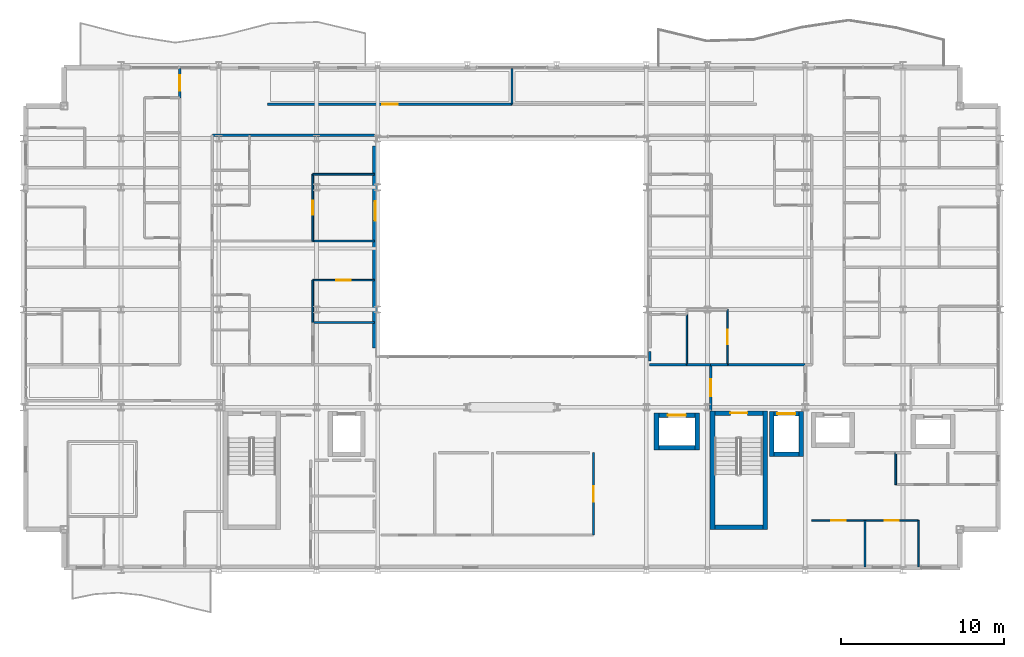
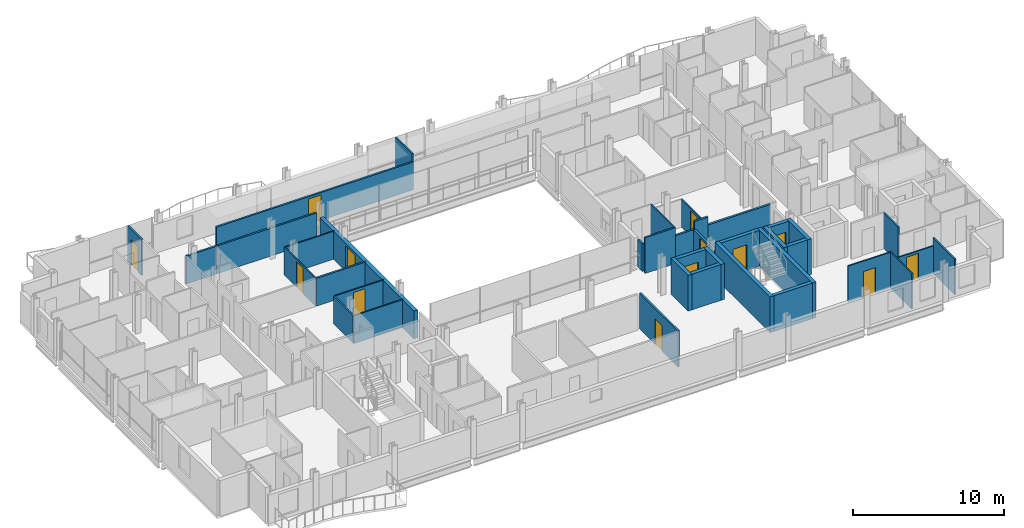
# One storey, part 34 of 41: 38 walls, 12 doors, 1 window, 13 openings.
"""IFC4 building model written with IfcOpenShell, lengths in metres."""

from ifc_helpers import new_model, si_unit, direction, frame, frame_2d, origin, place, context, subcontext, project, spatial, rectangle, extrude, material, layer, layer_set, type_object, element, fill, save


model = new_model("IFC4")

# Units and contexts
model_context = context("Model", 3, precision=1e-05, world=origin(), true_north=direction((0.0, 1.0)))
body_context = subcontext(model_context, "Body", "Model", "MODEL_VIEW")
ifc_project = project(units=[si_unit("LENGTHUNIT", "METRE"), si_unit("AREAUNIT", "SQUARE_METRE"), si_unit("VOLUMEUNIT", "CUBIC_METRE"), si_unit("PLANEANGLEUNIT", "RADIAN"), si_unit("MASSUNIT", "GRAM", prefix="KILO")], contexts=[model_context])

# Site, building, storey
site_placement = place(None, origin())
site = spatial("IfcSite", under=ifc_project, at=site_placement, CompositionType="ELEMENT")
building_placement = place(site_placement, origin())
building = spatial("IfcBuilding", under=site, at=building_placement, Name="Brevholm Reach", CompositionType="ELEMENT")
storey_placement = place(building_placement, frame((0.0, 0.0, 106.60009765625)))
storey = spatial("IfcBuildingStorey", under=building, at=storey_placement, Name="L31", CompositionType="ELEMENT", Elevation=106.60009765625)

# Walls
ifc_material_1 = material(Name="Concrete C50/60", Category="concrete")
ifc_layer_1 = layer(ifc_material_1, 0.280029296875)
ifc_layer_set_1 = layer_set([ifc_layer_1], Name="Concrete C50/60")
wall_type_1 = type_object("IfcWallType", Name="WAL-COR-280", PredefinedType="SHEAR", material=ifc_layer_set_1)
for number, where, z_axis, x_axis, name in (
    (1, (42.31005859375, 2.5, 0.0), (0.0, 0.0, 1.0), (0.0, 1.0, 0.0), "L31 Escape Stair ST-2 Core Wall W"),
    (2, (45.5400390625, 2.5, 0.0), (0.0, 0.0, 1.0), (0.0, 1.0, 0.0), "L31 Escape Stair ST-2 Core Wall E"),
):
    element("IfcWall", number, at=place(storey_placement, frame(where, z_axis=z_axis, x_axis=x_axis)), inside=storey, type_object=wall_type_1, Name=name, PredefinedType="SHEAR", context=body_context, shape_type="SweptSolid", body=[
        extrude(rectangle(XDim=7.280029296875, YDim=0.280029296875, at=frame_2d((3.64013671875, 0.0))), origin(), (0.0, 0.0, 1.0), 2.8798828125),
    ])
wall_1_placement = place(storey_placement, frame((42.449951171875, 2.639892578125, 0.0), z_axis=(0.0, 0.0, 1.0), x_axis=(1.0, 0.0, 0.0)))
element("IfcWall", 3, at=wall_1_placement, inside=storey, type_object=wall_type_1, Name="L31 Escape Stair ST-2 Core Wall S", PredefinedType="SHEAR", context=body_context, shape_type="SweptSolid", body=[
    extrude(rectangle(XDim=2.949951171875, YDim=0.280029296875, at=frame_2d((1.47509765625, 0.0))), origin(), (0.0, 0.0, 1.0), 2.8798828125),
])

# Wall, opening, door
wall_2_placement = place(storey_placement, frame((45.39990234375, 9.639892578125, 0.0), z_axis=(0.0, 0.0, 1.0), x_axis=(-1.0, 0.0, 0.0)))
wall_2 = element("IfcWall", 4, at=wall_2_placement, inside=storey, type_object=wall_type_1, Name="L31 Escape Stair ST-2 Core Wall N", PredefinedType="SHEAR", context=body_context, shape_type="SweptSolid", body=[
    extrude(rectangle(XDim=2.949951171875, YDim=0.280029296875, at=frame_2d((1.47509765625, 0.0))), origin(), (0.0, 0.0, 1.0), 2.8798828125),
])
opening_1_placement = place(wall_2_placement, frame((0.949951171875, 0.0, 0.0)))
opening_1 = element("IfcOpeningElement", 5, at=opening_1_placement, cuts=wall_2, Name="Opening SD-ST-2", PredefinedType="OPENING", context=body_context, shape_type="SweptSolid", body=[
    extrude(rectangle(XDim=1.050048828125, YDim=2.06005859375, at=frame_2d((0.52490234375, 1.030029296875))), frame((0.0, 0.14990234375, 0.0), z_axis=(0.0, -1.0, 0.0), x_axis=(1.0, 0.0, 0.0)), (0.0, 0.0, 1.0), 0.300048828125),
])
ifc_material_2 = material(Name="Hardwood-Lipped Steel-Core Fire and Smoke Door", Category="steel")
door_type_1 = type_object("IfcDoorType", Name="DOR-INT-FD60S", OperationType="NOTDEFINED", PredefinedType="DOOR", material=ifc_material_2)
door_1_placement = place(opening_1_placement, origin())
door_1 = element("IfcDoor", 6, at=door_1_placement, inside=storey, type_object=door_type_1, Name="L31 Protected Stair ST-2 Lobby Door", OperationType="SINGLE_SWING_RIGHT", OverallHeight=2.06005859375, OverallWidth=1.050048828125, PredefinedType="DOOR", context=body_context, shape_type="SweptSolid", body=[
    extrude(rectangle(XDim=1.050048828125, YDim=2.06005859375, at=frame_2d((0.52490234375, 1.030029296875))), frame((0.0, 0.02490234375, 0.0), z_axis=(0.0, -1.0, 0.0), x_axis=(1.0, 0.0, 0.0)), (0.0, 0.0, 1.0), 0.050048828125),
])
fill(opening_1, door_1)

# Walls
for number, where, z_axis, x_axis, name in (
    (7, (45.949951171875, 6.9599609375, 0.0), (0.0, 0.0, 1.0), (0.0, 1.0, 0.0), "L31 Lift FFL-2 Shaft Wall W"),
    (8, (47.75, 6.9599609375, 0.0), (0.0, 0.0, 1.0), (0.0, 1.0, 0.0), "L31 Lift FFL-2 Shaft Wall E"),
):
    element("IfcWall", number, at=place(storey_placement, frame(where, z_axis=z_axis, x_axis=x_axis)), inside=storey, type_object=wall_type_1, Name=name, PredefinedType="SHEAR", context=body_context, shape_type="SweptSolid", body=[
        extrude(rectangle(XDim=2.780029296875, YDim=0.280029296875, at=frame_2d((1.39013671875, 0.0))), origin(), (0.0, 0.0, 1.0), 2.8798828125),
    ])
wall_3_placement = place(storey_placement, frame((46.090087890625, 7.10009765625, 0.0), z_axis=(0.0, 0.0, 1.0), x_axis=(1.0, 0.0, 0.0)))
element("IfcWall", 9, at=wall_3_placement, inside=storey, type_object=wall_type_1, Name="L31 Lift FFL-2 Shaft Wall S", PredefinedType="SHEAR", context=body_context, shape_type="SweptSolid", body=[
    extrude(rectangle(XDim=1.52001953125, YDim=0.280029296875, at=frame_2d((0.760009765625, 0.0))), origin(), (0.0, 0.0, 1.0), 2.8798828125),
])

# Wall, opening, door
wall_4_placement = place(storey_placement, frame((46.090087890625, 9.60009765625, 0.0), z_axis=(0.0, 0.0, 1.0), x_axis=(1.0, 0.0, 0.0)))
wall_4 = element("IfcWall", 10, at=wall_4_placement, inside=storey, type_object=wall_type_1, Name="L31 Lift FFL-2 Shaft Wall N", PredefinedType="SHEAR", context=body_context, shape_type="SweptSolid", body=[
    extrude(rectangle(XDim=1.52001953125, YDim=0.280029296875, at=frame_2d((0.760009765625, 0.0))), origin(), (0.0, 0.0, 1.0), 2.8798828125),
])
opening_2_placement = place(wall_4_placement, frame((0.2099609375, 0.0, 0.0)))
opening_2 = element("IfcOpeningElement", 11, at=opening_2_placement, cuts=wall_4, Name="Opening LD-FFL-2", PredefinedType="OPENING", context=body_context, shape_type="SweptSolid", body=[
    extrude(rectangle(XDim=1.10009765625, YDim=2.06005859375, at=frame_2d((0.550048828125, 1.030029296875))), frame((0.0, 0.14990234375, 0.0), z_axis=(0.0, -1.0, 0.0), x_axis=(1.0, 0.0, 0.0)), (0.0, 0.0, 1.0), 0.300048828125),
])
ifc_material_3 = material(Name="Brushed Stainless Steel Fire-Rated Sliding Lift Door", Category="steel")
door_type_2 = type_object("IfcDoorType", Name="DOR-LFT-1100", OperationType="NOTDEFINED", PredefinedType="DOOR", material=ifc_material_3)
door_2_placement = place(opening_2_placement, origin())
door_2 = element("IfcDoor", 12, at=door_2_placement, inside=storey, type_object=door_type_2, Name="L31 Lift FFL-2 Sliding Landing Door", OperationType="SLIDING_TO_RIGHT", OverallHeight=2.06005859375, OverallWidth=1.10009765625, PredefinedType="DOOR", context=body_context, shape_type="SweptSolid", body=[
    extrude(rectangle(XDim=1.10009765625, YDim=2.06005859375, at=frame_2d((0.550048828125, 1.030029296875))), frame((0.0, 0.02490234375, 0.0), z_axis=(0.0, -1.0, 0.0), x_axis=(1.0, 0.0, 0.0)), (0.0, 0.0, 1.0), 0.050048828125),
])
fill(opening_2, door_2)

# Walls
for number, where, z_axis, x_axis, name in (
    (13, (38.8701171875, 7.360107421875, 0.0), (0.0, 0.0, 1.0), (0.0, 1.0, 0.0), "L31 Lift PL-S1 Shaft Wall W"),
    (14, (41.3701171875, 7.360107421875, 0.0), (0.0, 0.0, 1.0), (0.0, 1.0, 0.0), "L31 Lift PL-S1 Shaft Wall E"),
):
    element("IfcWall", number, at=place(storey_placement, frame(where, z_axis=z_axis, x_axis=x_axis)), inside=storey, type_object=wall_type_1, Name=name, PredefinedType="SHEAR", context=body_context, shape_type="SweptSolid", body=[
        extrude(rectangle(XDim=2.27978515625, YDim=0.280029296875, at=frame_2d((1.139892578125, 0.0))), origin(), (0.0, 0.0, 1.0), 2.8798828125),
    ])
wall_5_placement = place(storey_placement, frame((39.010009765625, 7.5, 0.0), z_axis=(0.0, 0.0, 1.0), x_axis=(1.0, 0.0, 0.0)))
element("IfcWall", 15, at=wall_5_placement, inside=storey, type_object=wall_type_1, Name="L31 Lift PL-S1 Shaft Wall S", PredefinedType="SHEAR", context=body_context, shape_type="SweptSolid", body=[
    extrude(rectangle(XDim=2.219970703125, YDim=0.280029296875, at=frame_2d((1.10986328125, 0.0))), origin(), (0.0, 0.0, 1.0), 2.8798828125),
])

# Wall, opening, door
wall_6_placement = place(storey_placement, frame((39.010009765625, 9.5, 0.0), z_axis=(0.0, 0.0, 1.0), x_axis=(1.0, 0.0, 0.0)))
wall_6 = element("IfcWall", 16, at=wall_6_placement, inside=storey, type_object=wall_type_1, Name="L31 Lift PL-S1 Shaft Wall N", PredefinedType="SHEAR", context=body_context, shape_type="SweptSolid", body=[
    extrude(rectangle(XDim=2.219970703125, YDim=0.280029296875, at=frame_2d((1.10986328125, 0.0))), origin(), (0.0, 0.0, 1.0), 2.8798828125),
])
opening_3_placement = place(wall_6_placement, frame((0.56005859375, 0.0, 0.0)))
opening_3 = element("IfcOpeningElement", 17, at=opening_3_placement, cuts=wall_6, Name="Opening LD-PL-S1", PredefinedType="OPENING", context=body_context, shape_type="SweptSolid", body=[
    extrude(rectangle(XDim=1.10009765625, YDim=2.06005859375, at=frame_2d((0.550048828125, 1.030029296875))), frame((0.0, 0.14990234375, 0.0), z_axis=(0.0, -1.0, 0.0), x_axis=(1.0, 0.0, 0.0)), (0.0, 0.0, 1.0), 0.300048828125),
])
door_3_placement = place(opening_3_placement, origin())
door_3 = element("IfcDoor", 18, at=door_3_placement, inside=storey, type_object=door_type_2, Name="L31 Lift PL-S1 Sliding Landing Door", OperationType="SLIDING_TO_LEFT", OverallHeight=2.06005859375, OverallWidth=1.10009765625, PredefinedType="DOOR", context=body_context, shape_type="SweptSolid", body=[
    extrude(rectangle(XDim=1.10009765625, YDim=2.06005859375, at=frame_2d((0.550048828125, 1.030029296875))), frame((0.0, 0.02490234375, 0.0), z_axis=(0.0, -1.0, 0.0), x_axis=(1.0, 0.0, 0.0)), (0.0, 0.0, 1.0), 0.050048828125),
])
fill(opening_3, door_3)

# Wall, opening, window
ifc_material_4 = material(Name="Concrete C40/50", Category="concrete")
ifc_layer_2 = layer(ifc_material_4, 0.300048828125)
ifc_layer_set_2 = layer_set([ifc_layer_2], Name="Concrete C40/50")
wall_type_2 = type_object("IfcWallType", Name="WAL-EXT-300", PredefinedType="STANDARD", material=ifc_layer_set_2)
wall_7_placement = place(storey_placement, frame((21.60009765625, 26.050048828125, 0.0), z_axis=(0.0, 0.0, 1.0), x_axis=(0.0, -1.0, 0.0)))
wall_7 = element("IfcWall", 19, at=wall_7_placement, inside=storey, type_object=wall_type_2, Name="L31 Facade Wall WAL-L31-AT-W", PredefinedType="STANDARD", context=body_context, shape_type="SweptSolid", body=[
    extrude(rectangle(XDim=12.400146484375, YDim=0.300048828125, at=frame_2d((6.2001953125, 0.0))), origin(), (0.0, 0.0, 1.0), 2.24267578125),
])
opening_4_placement = place(wall_7_placement, frame((3.39990234375, 0.0, 0.423095703125)))
opening_4 = element("IfcOpeningElement", 20, at=opening_4_placement, cuts=wall_7, Name="Opening WN-08", PredefinedType="OPENING", context=body_context, shape_type="SweptSolid", body=[
    extrude(rectangle(XDim=1.199951171875, YDim=1.60009765625, at=frame_2d((0.60009765625, 0.800048828125))), frame((0.0, 0.159912109375, 0.0), z_axis=(0.0, -1.0, 0.0), x_axis=(1.0, 0.0, 0.0)), (0.0, 0.0, 1.0), 0.320068359375),
])
ifc_material_5 = material(Name="Dark Anodised Aluminium and Solar-Control IGU Glass", Category="aluminium")
window_type = type_object("IfcWindowType", Name="WIN-RES-1200", PartitioningType="SINGLE_PANEL", PredefinedType="WINDOW", material=ifc_material_5)
window_placement = place(opening_4_placement, origin())
window = element("IfcWindow", 21, at=window_placement, inside=storey, type_object=window_type, Name="L31 Window WIN-L31-AT-W1", OverallHeight=1.60009765625, OverallWidth=1.199951171875, PartitioningType="SINGLE_PANEL", PredefinedType="WINDOW", context=body_context, shape_type="SweptSolid", body=[
    extrude(rectangle(XDim=1.199951171875, YDim=1.60009765625, at=frame_2d((0.60009765625, 0.800048828125))), frame((0.0, 0.030029296875, 0.0), z_axis=(0.0, -1.0, 0.0), x_axis=(1.0, 0.0, 0.0)), (0.0, 0.0, 1.0), 0.06005859375),
])
fill(opening_4, window)

# Walls
ifc_material_6 = material(Name="Moisture-Resistant Acoustic Gypsum Stud Partition 100 mm", Category="gypsum")
ifc_layer_3 = layer(ifc_material_6, 0.10009765625)
ifc_layer_set_3 = layer_set([ifc_layer_3], Name="Moisture-Resistant Acoustic Gypsum Stud Partition 100 mm")
wall_type_3 = type_object("IfcWallType", Name="WAL-PRT-100", PredefinedType="PARTITIONING", material=ifc_layer_set_3)
wall_8_placement = place(storey_placement, frame((53.55810546875, 5.25, 0.0), z_axis=(0.0, 0.0, 1.0), x_axis=(0.0, 1.0, 0.0)))
element("IfcWall", 22, at=wall_8_placement, inside=storey, type_object=wall_type_3, Name="L31 Internal Partition 086", PredefinedType="PARTITIONING", context=body_context, shape_type="SweptSolid", body=[
    extrude(rectangle(XDim=1.946044921875, YDim=0.10009765625, at=frame_2d((0.97314453125, 0.0))), origin(), (0.0, 0.0, 1.0), 2.8798828125),
])
wall_9_placement = place(storey_placement, frame((51.675048828125, 0.199951171875, 0.0), z_axis=(0.0, 0.0, 1.0), x_axis=(0.0, 1.0, 0.0)))
element("IfcWall", 23, at=wall_9_placement, inside=storey, type_object=wall_type_3, Name="L31 Internal Partition 087", PredefinedType="PARTITIONING", context=body_context, shape_type="SweptSolid", body=[
    extrude(rectangle(XDim=2.85009765625, YDim=0.10009765625, at=frame_2d((1.425048828125, 0.0))), origin(), (0.0, 0.0, 1.0), 2.8798828125),
])

# Wall, opening, door
wall_10_placement = place(storey_placement, frame((48.39990234375, 3.050048828125, 0.0), z_axis=(0.0, 0.0, 1.0), x_axis=(1.0, 0.0, 0.0)))
wall_10 = element("IfcWall", 24, at=wall_10_placement, inside=storey, type_object=wall_type_3, Name="L31 Internal Partition 088", PredefinedType="PARTITIONING", context=body_context, shape_type="SweptSolid", body=[
    extrude(rectangle(XDim=3.275146484375, YDim=0.10009765625, at=frame_2d((1.6376953125, 0.0))), origin(), (0.0, 0.0, 1.0), 2.8798828125),
])
opening_5_placement = place(wall_10_placement, frame((1.197509765625, 0.0, 0.0)))
opening_5 = element("IfcOpeningElement", 25, at=opening_5_placement, cuts=wall_10, Name="Opening ID-01", PredefinedType="OPENING", context=body_context, shape_type="SweptSolid", body=[
    extrude(rectangle(XDim=0.8798828125, YDim=2.0400390625, at=frame_2d((0.43994140625, 1.02001953125))), frame((0.0, 0.06005859375, 0.0), z_axis=(0.0, -1.0, 0.0), x_axis=(1.0, 0.0, 0.0)), (0.0, 0.0, 1.0), 0.1201171875),
])
ifc_material_7 = material(Name="Lacquered Ash Solid-Core Acoustic Internal Door", Category="timber")
door_type_3 = type_object("IfcDoorType", Name="DOR-INT-880", OperationType="NOTDEFINED", PredefinedType="DOOR", material=ifc_material_7)
door_4_placement = place(opening_5_placement, origin())
door_4 = element("IfcDoor", 26, at=door_4_placement, inside=storey, type_object=door_type_3, Name="L31 Internal Door 033", OperationType="SINGLE_SWING_RIGHT", OverallHeight=2.0400390625, OverallWidth=0.8798828125, PredefinedType="DOOR", context=body_context, shape_type="SweptSolid", body=[
    extrude(rectangle(XDim=0.8798828125, YDim=2.0400390625, at=frame_2d((0.43994140625, 1.02001953125))), frame((0.0, 0.02490234375, 0.0), z_axis=(0.0, -1.0, 0.0), x_axis=(1.0, 0.0, 0.0)), (0.0, 0.0, 1.0), 0.050048828125),
])
fill(opening_5, door_4)

# Wall
wall_11_placement = place(storey_placement, frame((54.949951171875, 0.199951171875, 0.0), z_axis=(0.0, 0.0, 1.0), x_axis=(0.0, 1.0, 0.0)))
element("IfcWall", 27, at=wall_11_placement, inside=storey, type_object=wall_type_3, Name="L31 Internal Partition 089", PredefinedType="PARTITIONING", context=body_context, shape_type="SweptSolid", body=[
    extrude(rectangle(XDim=2.85009765625, YDim=0.10009765625, at=frame_2d((1.425048828125, 0.0))), origin(), (0.0, 0.0, 1.0), 2.8798828125),
])

# Wall, opening, door
wall_12_placement = place(storey_placement, frame((51.678955078125, 3.050048828125, 0.0), z_axis=(0.0, 0.0, 1.0), x_axis=(1.0, 0.0, 0.0)))
wall_12 = element("IfcWall", 28, at=wall_12_placement, inside=storey, type_object=wall_type_3, Name="L31 Internal Partition 090", PredefinedType="PARTITIONING", context=body_context, shape_type="SweptSolid", body=[
    extrude(rectangle(XDim=3.27099609375, YDim=0.10009765625, at=frame_2d((1.635498046875, 0.0))), origin(), (0.0, 0.0, 1.0), 2.24267578125),
])
opening_6_placement = place(wall_12_placement, frame((1.195556640625, 0.0, 0.0)))
opening_6 = element("IfcOpeningElement", 29, at=opening_6_placement, cuts=wall_12, Name="Opening ID-01", PredefinedType="OPENING", context=body_context, shape_type="SweptSolid", body=[
    extrude(rectangle(XDim=0.8798828125, YDim=2.0400390625, at=frame_2d((0.43994140625, 1.02001953125))), frame((0.0, 0.06005859375, 0.0), z_axis=(0.0, -1.0, 0.0), x_axis=(1.0, 0.0, 0.0)), (0.0, 0.0, 1.0), 0.1201171875),
])
door_5_placement = place(opening_6_placement, origin())
door_5 = element("IfcDoor", 30, at=door_5_placement, inside=storey, type_object=door_type_3, Name="L31 Internal Door 034", OperationType="SINGLE_SWING_LEFT", OverallHeight=2.0400390625, OverallWidth=0.8798828125, PredefinedType="DOOR", context=body_context, shape_type="SweptSolid", body=[
    extrude(rectangle(XDim=0.8798828125, YDim=2.0400390625, at=frame_2d((0.43994140625, 1.02001953125))), frame((0.0, 0.02490234375, 0.0), z_axis=(0.0, -1.0, 0.0), x_axis=(1.0, 0.0, 0.0)), (0.0, 0.0, 1.0), 0.050048828125),
])
fill(opening_6, door_5)

# Wall
wall_13_placement = place(storey_placement, frame((17.76904296875, 15.199951171875, 0.0), z_axis=(0.0, 0.0, 1.0), x_axis=(1.0, 0.0, 0.0)))
element("IfcWall", 31, at=wall_13_placement, inside=storey, type_object=wall_type_3, Name="L31 Internal Partition 117", PredefinedType="PARTITIONING", context=body_context, shape_type="SweptSolid", body=[
    extrude(rectangle(XDim=3.781005859375, YDim=0.10009765625, at=frame_2d((1.890625, 0.0))), origin(), (0.0, 0.0, 1.0), 2.24267578125),
])

# Wall, opening, door
wall_14_placement = place(storey_placement, frame((17.76904296875, 17.800048828125, 0.0), z_axis=(0.0, 0.0, 1.0), x_axis=(1.0, 0.0, 0.0)))
wall_14 = element("IfcWall", 32, at=wall_14_placement, inside=storey, type_object=wall_type_3, Name="L31 Internal Partition 119", PredefinedType="PARTITIONING", context=body_context, shape_type="SweptSolid", body=[
    extrude(rectangle(XDim=3.781005859375, YDim=0.10009765625, at=frame_2d((1.890625, 0.0))), origin(), (0.0, 0.0, 1.0), 2.24267578125),
])
opening_7_placement = place(wall_14_placement, frame((1.450439453125, 0.0, 0.0)))
opening_7 = element("IfcOpeningElement", 33, at=opening_7_placement, cuts=wall_14, Name="Opening ID-01", PredefinedType="OPENING", context=body_context, shape_type="SweptSolid", body=[
    extrude(rectangle(XDim=0.8798828125, YDim=2.0400390625, at=frame_2d((0.43994140625, 1.02001953125))), frame((0.0, 0.06005859375, 0.0), z_axis=(0.0, -1.0, 0.0), x_axis=(1.0, 0.0, 0.0)), (0.0, 0.0, 1.0), 0.1201171875),
])
door_6_placement = place(opening_7_placement, origin())
door_6 = element("IfcDoor", 34, at=door_6_placement, inside=storey, type_object=door_type_3, Name="L31 Internal Door 046", OperationType="SINGLE_SWING_LEFT", OverallHeight=2.0400390625, OverallWidth=0.8798828125, PredefinedType="DOOR", context=body_context, shape_type="SweptSolid", body=[
    extrude(rectangle(XDim=0.8798828125, YDim=2.0400390625, at=frame_2d((0.43994140625, 1.02001953125))), frame((0.0, 0.02490234375, 0.0), z_axis=(0.0, -1.0, 0.0), x_axis=(1.0, 0.0, 0.0)), (0.0, 0.0, 1.0), 0.050048828125),
])
fill(opening_7, door_6)

# Walls
wall_15_placement = place(storey_placement, frame((17.76904296875, 15.2041015625, 0.0), z_axis=(0.0, 0.0, 1.0), x_axis=(0.0, 1.0, 0.0)))
element("IfcWall", 35, at=wall_15_placement, inside=storey, type_object=wall_type_3, Name="L31 Internal Partition 120", PredefinedType="PARTITIONING", context=body_context, shape_type="SweptSolid", body=[
    extrude(rectangle(XDim=2.595947265625, YDim=0.10009765625, at=frame_2d((1.2978515625, 0.0))), origin(), (0.0, 0.0, 1.0), 2.24267578125),
])
wall_16_placement = place(storey_placement, frame((17.76904296875, 24.300048828125, 0.0), z_axis=(0.0, 0.0, 1.0), x_axis=(1.0, 0.0, 0.0)))
element("IfcWall", 36, at=wall_16_placement, inside=storey, type_object=wall_type_3, Name="L31 Internal Partition 127", PredefinedType="PARTITIONING", context=body_context, shape_type="SweptSolid", body=[
    extrude(rectangle(XDim=3.781005859375, YDim=0.10009765625, at=frame_2d((1.890625, 0.0))), origin(), (0.0, 0.0, 1.0), 2.24267578125),
])

# Wall, opening, door
wall_17_placement = place(storey_placement, frame((17.76904296875, 20.2041015625, 0.0), z_axis=(0.0, 0.0, 1.0), x_axis=(0.0, 1.0, 0.0)))
wall_17 = element("IfcWall", 37, at=wall_17_placement, inside=storey, type_object=wall_type_3, Name="L31 Internal Partition 128", PredefinedType="PARTITIONING", context=body_context, shape_type="SweptSolid", body=[
    extrude(rectangle(XDim=4.095947265625, YDim=0.10009765625, at=frame_2d((2.0478515625, 0.0))), origin(), (0.0, 0.0, 1.0), 2.24267578125),
])
opening_8_placement = place(wall_17_placement, frame((1.60791015625, 0.0, 0.0)))
opening_8 = element("IfcOpeningElement", 38, at=opening_8_placement, cuts=wall_17, Name="Opening ID-01", PredefinedType="OPENING", context=body_context, shape_type="SweptSolid", body=[
    extrude(rectangle(XDim=0.8798828125, YDim=2.0400390625, at=frame_2d((0.43994140625, 1.02001953125))), frame((0.0, 0.06005859375, 0.0), z_axis=(0.0, -1.0, 0.0), x_axis=(1.0, 0.0, 0.0)), (0.0, 0.0, 1.0), 0.1201171875),
])
door_7_placement = place(opening_8_placement, origin())
door_7 = element("IfcDoor", 39, at=door_7_placement, inside=storey, type_object=door_type_3, Name="L31 Internal Door 049", OperationType="SINGLE_SWING_RIGHT", OverallHeight=2.0400390625, OverallWidth=0.8798828125, PredefinedType="DOOR", context=body_context, shape_type="SweptSolid", body=[
    extrude(rectangle(XDim=0.8798828125, YDim=2.0400390625, at=frame_2d((0.43994140625, 1.02001953125))), frame((0.0, 0.02490234375, 0.0), z_axis=(0.0, -1.0, 0.0), x_axis=(1.0, 0.0, 0.0)), (0.0, 0.0, 1.0), 0.050048828125),
])
fill(opening_8, door_7)

# Wall
wall_18_placement = place(storey_placement, frame((40.738037109375, 12.60400390625, 0.0), z_axis=(0.0, 0.0, 1.0), x_axis=(0.0, 1.0, 0.0)))
element("IfcWall", 40, at=wall_18_placement, inside=storey, type_object=wall_type_3, Name="L31 Internal Partition 129", PredefinedType="PARTITIONING", context=body_context, shape_type="SweptSolid", body=[
    extrude(rectangle(XDim=3.095947265625, YDim=0.10009765625, at=frame_2d((1.5478515625, 0.0))), origin(), (0.0, 0.0, 1.0), 2.8798828125),
])

# Wall, opening, door
wall_19_placement = place(storey_placement, frame((43.22509765625, 12.60400390625, 0.0), z_axis=(0.0, 0.0, 1.0), x_axis=(0.0, 1.0, 0.0)))
wall_19 = element("IfcWall", 41, at=wall_19_placement, inside=storey, type_object=wall_type_3, Name="L31 Internal Partition 131", PredefinedType="PARTITIONING", context=body_context, shape_type="SweptSolid", body=[
    extrude(rectangle(XDim=3.39599609375, YDim=0.10009765625, at=frame_2d((1.697998046875, 0.0))), origin(), (0.0, 0.0, 1.0), 2.24267578125),
])
opening_9_placement = place(wall_19_placement, frame((1.258056640625, 0.0, 0.0)))
opening_9 = element("IfcOpeningElement", 42, at=opening_9_placement, cuts=wall_19, Name="Opening ID-01", PredefinedType="OPENING", context=body_context, shape_type="SweptSolid", body=[
    extrude(rectangle(XDim=0.8798828125, YDim=2.0400390625, at=frame_2d((0.43994140625, 1.02001953125))), frame((0.0, 0.06005859375, 0.0), z_axis=(0.0, -1.0, 0.0), x_axis=(1.0, 0.0, 0.0)), (0.0, 0.0, 1.0), 0.1201171875),
])
door_8_placement = place(opening_9_placement, origin())
door_8 = element("IfcDoor", 43, at=door_8_placement, inside=storey, type_object=door_type_3, Name="L31 Internal Door 051", OperationType="SINGLE_SWING_RIGHT", OverallHeight=2.0400390625, OverallWidth=0.8798828125, PredefinedType="DOOR", context=body_context, shape_type="SweptSolid", body=[
    extrude(rectangle(XDim=0.8798828125, YDim=2.0400390625, at=frame_2d((0.43994140625, 1.02001953125))), frame((0.0, 0.02490234375, 0.0), z_axis=(0.0, -1.0, 0.0), x_axis=(1.0, 0.0, 0.0)), (0.0, 0.0, 1.0), 0.050048828125),
])
fill(opening_9, door_8)

# Wall
wall_20_placement = place(storey_placement, frame((30.0, 28.60400390625, 0.0), z_axis=(0.0, 0.0, 1.0), x_axis=(0.0, 1.0, 0.0)))
element("IfcWall", 44, at=wall_20_placement, inside=storey, type_object=wall_type_3, Name="L31 Internal Partition 168", PredefinedType="PARTITIONING", context=body_context, shape_type="SweptSolid", body=[
    extrude(rectangle(XDim=2.196044921875, YDim=0.10009765625, at=frame_2d((1.09814453125, 0.0))), origin(), (0.0, 0.0, 1.0), 2.8798828125),
])

# Wall, opening, door
ifc_material_8 = material(Name="Twin-Stud Acoustic Fire-Rated Gypsum Partition 140 mm", Category="gypsum")
ifc_layer_4 = layer(ifc_material_8, 0.139892578125)
ifc_layer_set_4 = layer_set([ifc_layer_4], Name="Twin-Stud Acoustic Fire-Rated Gypsum Partition 140 mm")
wall_type_4 = type_object("IfcWallType", Name="WAL-PRT-140", PredefinedType="PARTITIONING", material=ifc_layer_set_4)
wall_21_placement = place(storey_placement, frame((35.0, 2.142578125, 0.0), z_axis=(0.0, 0.0, 1.0), x_axis=(0.0, 1.0, 0.0)))
wall_21 = element("IfcWall", 45, at=wall_21_placement, inside=storey, type_object=wall_type_4, Name="L31 Internal Partition 001", PredefinedType="PARTITIONING", context=body_context, shape_type="SweptSolid", body=[
    extrude(rectangle(XDim=5.068603515625, YDim=0.139892578125, at=frame_2d((2.5341796875, 0.0))), origin(), (0.0, 0.0, 1.0), 2.8798828125),
])
opening_10_placement = place(wall_21_placement, frame((2.059326171875, 0.0, 0.0)))
opening_10 = element("IfcOpeningElement", 46, at=opening_10_placement, cuts=wall_21, Name="Opening ID-30", PredefinedType="OPENING", context=body_context, shape_type="SweptSolid", body=[
    extrude(rectangle(XDim=0.949951171875, YDim=2.050048828125, at=frame_2d((0.47509765625, 1.02490234375))), frame((0.0, 0.079833984375, 0.0), z_axis=(0.0, -1.0, 0.0), x_axis=(1.0, 0.0, 0.0)), (0.0, 0.0, 1.0), 0.159912109375),
])
ifc_material_9 = material(Name="European Oak Veneered Solid-Core Fire Entrance Door", Category="timber")
door_type_4 = type_object("IfcDoorType", Name="DOR-FLT-FD30S", OperationType="NOTDEFINED", PredefinedType="DOOR", material=ifc_material_9)
door_9_placement = place(opening_10_placement, origin())
door_9 = element("IfcDoor", 47, at=door_9_placement, inside=storey, type_object=door_type_4, Name="L31 Internal Door 001", OperationType="SINGLE_SWING_RIGHT", OverallHeight=2.050048828125, OverallWidth=0.949951171875, PredefinedType="DOOR", context=body_context, shape_type="SweptSolid", body=[
    extrude(rectangle(XDim=0.949951171875, YDim=2.050048828125, at=frame_2d((0.47509765625, 1.02490234375))), frame((0.0, 0.02490234375, 0.0), z_axis=(0.0, -1.0, 0.0), x_axis=(1.0, 0.0, 0.0)), (0.0, 0.0, 1.0), 0.050048828125),
])
fill(opening_10, door_9)

# Walls
wall_22_placement = place(storey_placement, frame((38.438720703125, 12.60009765625, 0.0), z_axis=(0.0, 0.0, 1.0), x_axis=(1.0, 0.0, 0.0)))
element("IfcWall", 48, at=wall_22_placement, inside=storey, type_object=wall_type_4, Name="L31 Internal Partition 031", PredefinedType="PARTITIONING", context=body_context, shape_type="SweptSolid", body=[
    extrude(rectangle(XDim=2.310546875, YDim=0.139892578125, at=frame_2d((1.1552734375, 0.0))), origin(), (0.0, 0.0, 1.0), 2.8798828125),
])
wall_23_placement = place(storey_placement, frame((40.730712890625, 12.60009765625, 0.0), z_axis=(0.0, 0.0, 1.0), x_axis=(1.0, 0.0, 0.0)))
element("IfcWall", 49, at=wall_23_placement, inside=storey, type_object=wall_type_4, Name="L31 Internal Partition 032", PredefinedType="PARTITIONING", context=body_context, shape_type="SweptSolid", body=[
    extrude(rectangle(XDim=1.46533203125, YDim=0.139892578125, at=frame_2d((0.732666015625, 0.0))), origin(), (0.0, 0.0, 1.0), 2.24267578125),
])

# Wall, opening, door
wall_24_placement = place(storey_placement, frame((9.60009765625, 28.99267578125, 0.0), z_axis=(0.0, 0.0, 1.0), x_axis=(0.0, 1.0, 0.0)))
wall_24 = element("IfcWall", 50, at=wall_24_placement, inside=storey, type_object=wall_type_4, Name="L31 Internal Partition 041", PredefinedType="PARTITIONING", context=body_context, shape_type="SweptSolid", body=[
    extrude(rectangle(XDim=1.807373046875, YDim=0.139892578125, at=frame_2d((0.90380859375, 0.0))), origin(), (0.0, 0.0, 1.0), 2.8798828125),
])
opening_11_placement = place(wall_24_placement, frame((0.4287109375, 0.0, 0.0)))
opening_11 = element("IfcOpeningElement", 51, at=opening_11_placement, cuts=wall_24, Name="Opening ID-30", PredefinedType="OPENING", context=body_context, shape_type="SweptSolid", body=[
    extrude(rectangle(XDim=0.949951171875, YDim=2.050048828125, at=frame_2d((0.47509765625, 1.02490234375))), frame((0.0, 0.079833984375, 0.0), z_axis=(0.0, -1.0, 0.0), x_axis=(1.0, 0.0, 0.0)), (0.0, 0.0, 1.0), 0.159912109375),
])
door_10_placement = place(opening_11_placement, origin())
door_10 = element("IfcDoor", 52, at=door_10_placement, inside=storey, type_object=door_type_4, Name="L31 Internal Door 019", OperationType="SINGLE_SWING_RIGHT", OverallHeight=2.050048828125, OverallWidth=0.949951171875, PredefinedType="DOOR", context=body_context, shape_type="SweptSolid", body=[
    extrude(rectangle(XDim=0.949951171875, YDim=2.050048828125, at=frame_2d((0.47509765625, 1.02490234375))), frame((0.0, 0.02490234375, 0.0), z_axis=(0.0, -1.0, 0.0), x_axis=(1.0, 0.0, 0.0)), (0.0, 0.0, 1.0), 0.050048828125),
])
fill(opening_11, door_10)

# Walls
wall_25_placement = place(storey_placement, frame((11.60400390625, 26.699951171875, 0.0), z_axis=(0.0, 0.0, 1.0), x_axis=(1.0, 0.0, 0.0)))
element("IfcWall", 53, at=wall_25_placement, inside=storey, type_object=wall_type_4, Name="L31 Internal Partition 061", PredefinedType="PARTITIONING", context=body_context, shape_type="SweptSolid", body=[
    extrude(rectangle(XDim=2.29638671875, YDim=0.139892578125, at=frame_2d((1.148193359375, 0.0))), origin(), (0.0, 0.0, 1.0), 2.24267578125),
])
wall_26_placement = place(storey_placement, frame((13.881591796875, 26.699951171875, 0.0), z_axis=(0.0, 0.0, 1.0), x_axis=(1.0, 0.0, 0.0)))
element("IfcWall", 54, at=wall_26_placement, inside=storey, type_object=wall_type_4, Name="L31 Internal Partition 062", PredefinedType="PARTITIONING", context=body_context, shape_type="SweptSolid", body=[
    extrude(rectangle(XDim=7.6796875, YDim=0.139892578125, at=frame_2d((3.83984375, 0.0))), origin(), (0.0, 0.0, 1.0), 2.24267578125),
])

# Wall, opening, door
wall_27_placement = place(storey_placement, frame((14.98876953125, 28.60009765625, 0.0), z_axis=(0.0, 0.0, 1.0), x_axis=(1.0, 0.0, 0.0)))
wall_27 = element("IfcWall", 55, at=wall_27_placement, inside=storey, type_object=wall_type_4, Name="L31 Internal Partition 065", PredefinedType="PARTITIONING", context=body_context, shape_type="SweptSolid", body=[
    extrude(rectangle(XDim=15.0224609375, YDim=0.139892578125, at=frame_2d((7.51123046875, 0.0))), origin(), (0.0, 0.0, 1.0), 2.24267578125),
])
opening_12_placement = place(wall_27_placement, frame((7.036376953125, 0.0, 0.0)))
opening_12 = element("IfcOpeningElement", 56, at=opening_12_placement, cuts=wall_27, Name="Opening ID-30", PredefinedType="OPENING", context=body_context, shape_type="SweptSolid", body=[
    extrude(rectangle(XDim=0.949951171875, YDim=2.050048828125, at=frame_2d((0.47509765625, 1.02490234375))), frame((0.0, 0.079833984375, 0.0), z_axis=(0.0, -1.0, 0.0), x_axis=(1.0, 0.0, 0.0)), (0.0, 0.0, 1.0), 0.159912109375),
])
door_11_placement = place(opening_12_placement, origin())
door_11 = element("IfcDoor", 57, at=door_11_placement, inside=storey, type_object=door_type_4, Name="L31 Internal Door 026", OperationType="SINGLE_SWING_LEFT", OverallHeight=2.050048828125, OverallWidth=0.949951171875, PredefinedType="DOOR", context=body_context, shape_type="SweptSolid", body=[
    extrude(rectangle(XDim=0.949951171875, YDim=2.050048828125, at=frame_2d((0.47509765625, 1.02490234375))), frame((0.0, 0.02490234375, 0.0), z_axis=(0.0, -1.0, 0.0), x_axis=(1.0, 0.0, 0.0)), (0.0, 0.0, 1.0), 0.050048828125),
])
fill(opening_12, door_11)

# Walls
wall_28_placement = place(storey_placement, frame((17.7578125, 20.199951171875, 0.0), z_axis=(0.0, 0.0, 1.0), x_axis=(1.0, 0.0, 0.0)))
element("IfcWall", 58, at=wall_28_placement, inside=storey, type_object=wall_type_4, Name="L31 Internal Partition 121", PredefinedType="PARTITIONING", context=body_context, shape_type="SweptSolid", body=[
    extrude(rectangle(XDim=3.792236328125, YDim=0.139892578125, at=frame_2d((1.89599609375, 0.0))), origin(), (0.0, 0.0, 1.0), 2.24267578125),
])
wall_29_placement = place(storey_placement, frame((38.449951171875, 12.840087890625, 0.0), z_axis=(0.0, 0.0, 1.0), x_axis=(0.0, 1.0, 0.0)))
element("IfcWall", 59, at=wall_29_placement, inside=storey, type_object=wall_type_4, Name="L31 Internal Partition 176", PredefinedType="PARTITIONING", context=body_context, shape_type="SweptSolid", body=[
    extrude(rectangle(XDim=0.5751953125, YDim=0.139892578125, at=frame_2d((0.28759765625, 0.0))), origin(), (0.0, 0.0, 1.0), 2.24267578125),
])

# Wall, opening, door
ifc_material_10 = material(Name="Twin-Frame Fire-Rated Gypsum Board and Mineral Wool 160 mm", Category="gypsum")
ifc_layer_5 = layer(ifc_material_10, 0.159912109375)
ifc_layer_set_5 = layer_set([ifc_layer_5], Name="Twin-Frame Fire-Rated Gypsum Board and Mineral Wool 160 mm")
wall_type_5 = type_object("IfcWallType", Name="WAL-PRT-160", PredefinedType="PARTITIONING", material=ifc_layer_set_5)
wall_30_placement = place(storey_placement, frame((42.199951171875, 9.7900390625, 0.0), z_axis=(0.0, 0.0, 1.0), x_axis=(0.0, 1.0, 0.0)))
wall_30 = element("IfcWall", 60, at=wall_30_placement, inside=storey, type_object=wall_type_5, Name="L31 Internal Partition 023", PredefinedType="PARTITIONING", context=body_context, shape_type="SweptSolid", body=[
    extrude(rectangle(XDim=2.81005859375, YDim=0.159912109375, at=frame_2d((1.405029296875, 0.0))), origin(), (0.0, 0.0, 1.0), 2.24267578125),
])
opening_13_placement = place(wall_30_placement, frame((0.8798828125, 0.0, 0.0)))
opening_13 = element("IfcOpeningElement", 61, at=opening_13_placement, cuts=wall_30, Name="Opening FD-01", PredefinedType="OPENING", context=body_context, shape_type="SweptSolid", body=[
    extrude(rectangle(XDim=1.050048828125, YDim=2.06005859375, at=frame_2d((0.52490234375, 1.030029296875))), frame((0.0, 0.08984375, 0.0), z_axis=(0.0, -1.0, 0.0), x_axis=(1.0, 0.0, 0.0)), (0.0, 0.0, 1.0), 0.179931640625),
])
door_12_placement = place(opening_13_placement, origin())
door_12 = element("IfcDoor", 62, at=door_12_placement, inside=storey, type_object=door_type_1, Name="L31 Internal Door 013", OperationType="SINGLE_SWING_RIGHT", OverallHeight=2.06005859375, OverallWidth=1.050048828125, PredefinedType="DOOR", context=body_context, shape_type="SweptSolid", body=[
    extrude(rectangle(XDim=1.050048828125, YDim=2.06005859375, at=frame_2d((0.52490234375, 1.030029296875))), frame((0.0, 0.02490234375, 0.0), z_axis=(0.0, -1.0, 0.0), x_axis=(1.0, 0.0, 0.0)), (0.0, 0.0, 1.0), 0.050048828125),
])
fill(opening_13, door_12)

# Walls
wall_31_placement = place(storey_placement, frame((42.199951171875, 12.60009765625, 0.0), z_axis=(0.0, 0.0, 1.0), x_axis=(1.0, 0.0, 0.0)))
element("IfcWall", 63, at=wall_31_placement, inside=storey, type_object=wall_type_5, Name="L31 Internal Partition 025", PredefinedType="PARTITIONING", context=body_context, shape_type="SweptSolid", body=[
    extrude(rectangle(XDim=1.036376953125, YDim=0.159912109375, at=frame_2d((0.51806640625, 0.0))), origin(), (0.0, 0.0, 1.0), 2.8798828125),
])
wall_32_placement = place(storey_placement, frame((43.2177734375, 12.60009765625, 0.0), z_axis=(0.0, 0.0, 1.0), x_axis=(1.0, 0.0, 0.0)))
element("IfcWall", 64, at=wall_32_placement, inside=storey, type_object=wall_type_5, Name="L31 Internal Partition 026", PredefinedType="PARTITIONING", context=body_context, shape_type="SweptSolid", body=[
    extrude(rectangle(XDim=4.7822265625, YDim=0.159912109375, at=frame_2d((2.39111328125, 0.0))), origin(), (0.0, 0.0, 1.0), 2.24267578125),
])

save(model, "model.ifc")
